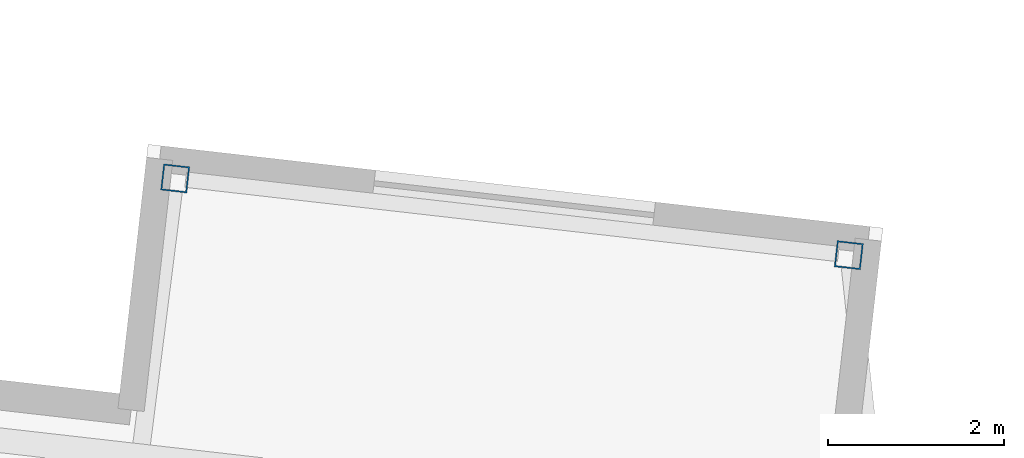
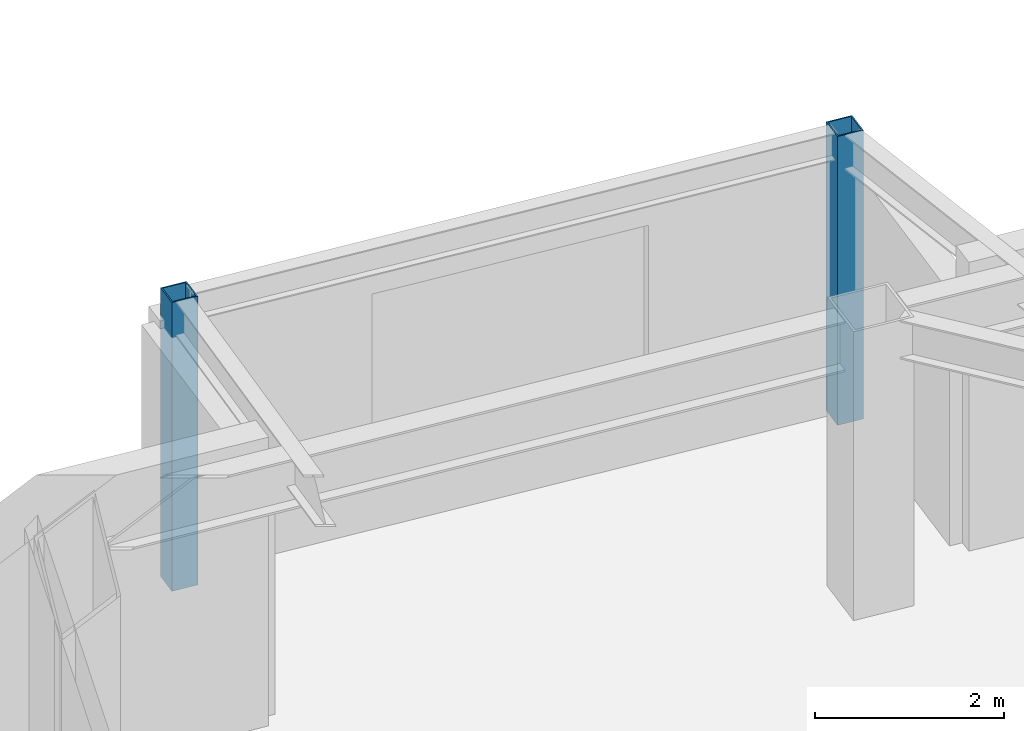
# One storey, part 2 of 21: 2 columns.
"""IFC4 building model written with IfcOpenShell, lengths in metres."""

from ifc_helpers import new_model, si_unit, direction, frame, origin, origin_2d, place, context, subcontext, project, spatial, hollow_rectangle, extrude, material, material_profile, profile_set, type_object, element, save


model = new_model("IFC4")

# Units and contexts
model_context = context("Model", 3, precision=1e-05, world=origin(), true_north=direction((0.0, 1.0)))
body_context = subcontext(model_context, "Body", "Model", "MODEL_VIEW")
ifc_project = project(units=[si_unit("LENGTHUNIT", "METRE"), si_unit("AREAUNIT", "SQUARE_METRE"), si_unit("VOLUMEUNIT", "CUBIC_METRE"), si_unit("PLANEANGLEUNIT", "RADIAN"), si_unit("MASSUNIT", "GRAM", prefix="KILO")], contexts=[model_context])

# Site, building, storey
site_placement = place(None, origin())
site = spatial("IfcSite", under=ifc_project, at=site_placement, CompositionType="ELEMENT")
building_placement = place(site_placement, origin())
building = spatial("IfcBuilding", under=site, at=building_placement, Name="Tavrogorsk Clinical Tower", CompositionType="ELEMENT")
storey_placement = place(building_placement, frame((0.0, 0.0, 121.39990234375)))
storey = spatial("IfcBuildingStorey", under=building, at=storey_placement, Name="L27", CompositionType="ELEMENT", Elevation=121.39990234375)

# Columns
ifc_material = material(Name="Structural steel S390", Category="steel")
ifc_material_profile = material_profile(ifc_material, hollow_rectangle(XDim=0.300048828125, YDim=0.300048828125, WallThickness=0.01611328125, at=origin_2d()), Name="SHS-300x300x16")
ifc_profile_set = profile_set([ifc_material_profile], Name="Structural steel S390")
column_type = type_object("IfcColumnType", Name="DayroomCol_SHS300", PredefinedType="COLUMN", material=ifc_profile_set)
for number, where, z_axis, x_axis, name in (
    (1, (12.594482421875, 24.51513671875, 0.0), (0.0, 0.0, 1.0), (0.993571855677, -0.113203213768, 0.0), "L27 Day-Room Box Column DRB-04-L"),
    (2, (20.244873046875, 23.6435546875, 0.0), (0.0, 0.0, 1.0), (0.993571855677, -0.113203213768, 0.0), "L27 Day-Room Box Column DRB-04-R"),
):
    element("IfcColumn", number, at=place(storey_placement, frame(where, z_axis=z_axis, x_axis=x_axis)), inside=storey, type_object=column_type, Name=name, PredefinedType="COLUMN", context=body_context, shape_type="SweptSolid", body=[
        extrude(hollow_rectangle(XDim=0.300048828125, YDim=0.300048828125, WallThickness=0.01611328125, at=origin_2d()), origin(), (0.0, 0.0, 1.0), 3.739990234375),
    ])

save(model, "model.ifc")
